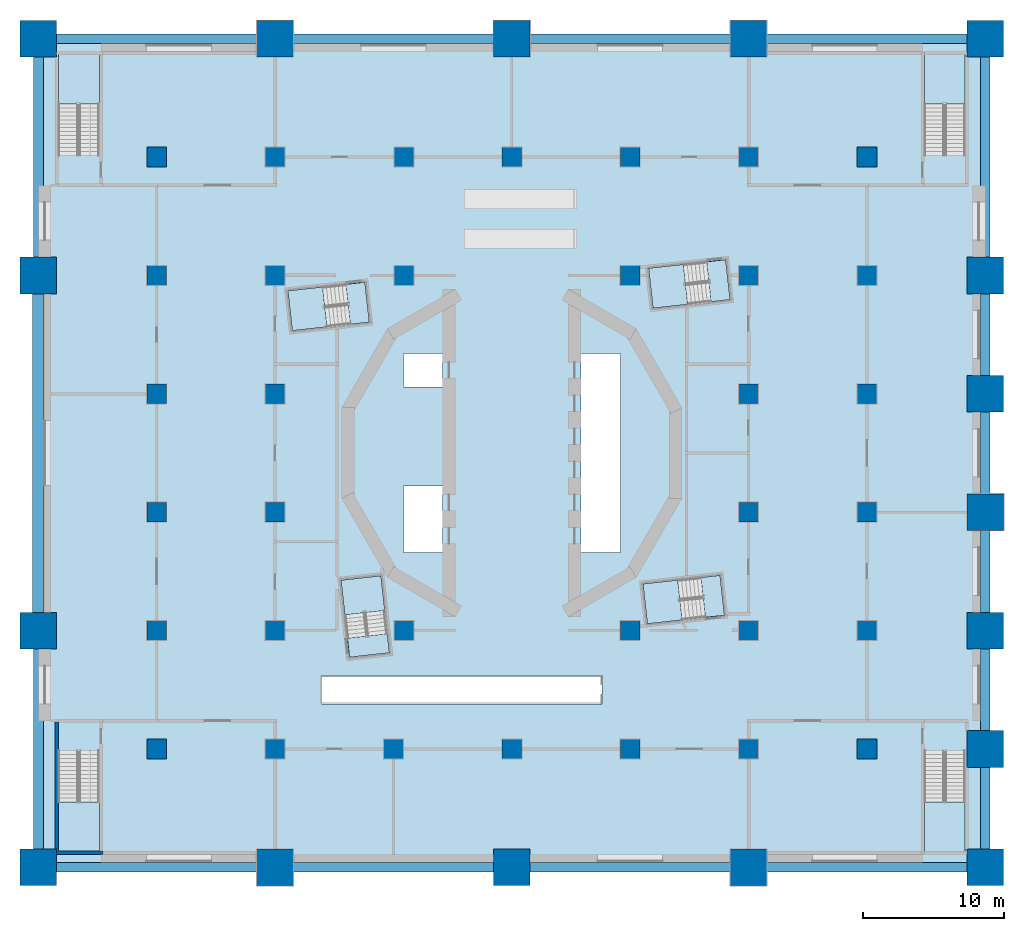
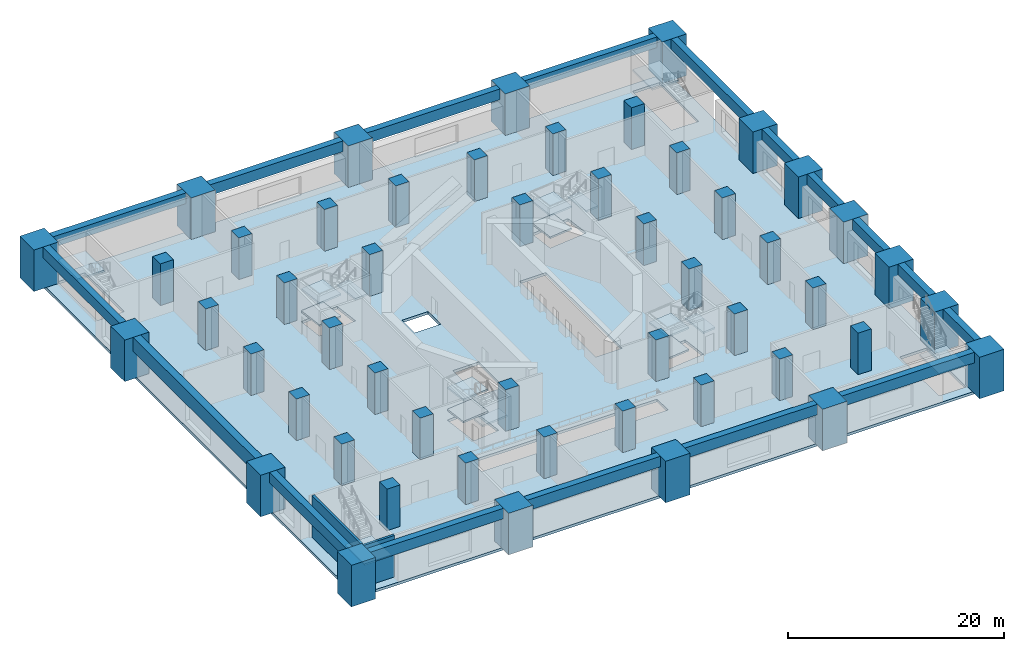
# One storey, part 1 of 19: 51 columns, 17 beams, 17 slabs, 2 walls, 8 elements without a shape of their own.
"""IFC4 building model written with IfcOpenShell, lengths in metres."""

from ifc_helpers import new_model, si_unit, direction, frame, frame_2d, origin, origin_2d, place, context, subcontext, project, spatial, polyline, rectangle, outline, extrude, material, layer, layer_set, material_profile, profile_set, type_object, element, aggregate, save


model = new_model("IFC4")

# Units and contexts
model_context = context("Model", 3, precision=1e-05, world=origin(), true_north=direction((0.0, 1.0)))
body_context = subcontext(model_context, "Body", "Model", "MODEL_VIEW")
ifc_project = project(units=[si_unit("LENGTHUNIT", "METRE"), si_unit("AREAUNIT", "SQUARE_METRE"), si_unit("VOLUMEUNIT", "CUBIC_METRE"), si_unit("PLANEANGLEUNIT", "RADIAN"), si_unit("MASSUNIT", "GRAM", prefix="KILO")], contexts=[model_context])

# Site, building, storey
site_placement = place(None, origin())
site = spatial("IfcSite", under=ifc_project, at=site_placement, CompositionType="ELEMENT")
building_placement = place(site_placement, origin())
building = spatial("IfcBuilding", under=site, at=building_placement, Name="Cantera Rosa Tower", CompositionType="ELEMENT")
storey_placement = place(building_placement, frame((0.0, 0.0, 12.0)))
storey = spatial("IfcBuildingStorey", under=building, at=storey_placement, Name="L01", CompositionType="ELEMENT", Elevation=12.0)

# Columns
ifc_material_1 = material(Name="Concrete C60/75", Category="concrete")
ifc_material_profile_1 = material_profile(ifc_material_1, rectangle(XDim=1.39990234375, YDim=1.39990234375, at=origin_2d()), Name="Column 1400x1400")
ifc_profile_set_1 = profile_set([ifc_material_profile_1], Name="Concrete C60/75")
column_type_1 = type_object("IfcColumnType", Name="Column 1400x1400", PredefinedType="COLUMN", material=ifc_profile_set_1)
for number, where, z_axis, x_axis, name in (
    (1, (-25.199951171875, -21.0, 0.0), (0.0, 0.0, 1.0), (1.0, 0.0, 0.0), "Column C-P-2B"),
    (2, (-25.199951171875, -12.60009765625, 0.0), (0.0, 0.0, 1.0), (1.0, 0.0, 0.0), "Column C-P-2C"),
    (3, (-25.199951171875, -4.199951171875, 0.0), (0.0, 0.0, 1.0), (1.0, 0.0, 0.0), "Column C-P-2D"),
    (4, (-25.199951171875, 4.199951171875, 0.0), (0.0, 0.0, 1.0), (1.0, 0.0, 0.0), "Column C-P-2E"),
    (5, (-25.199951171875, 12.60009765625, 0.0), (0.0, 0.0, 1.0), (1.0, 0.0, 0.0), "Column C-P-2F"),
    (6, (-25.199951171875, 21.0, 0.0), (0.0, 0.0, 1.0), (1.0, 0.0, 0.0), "Column C-P-2G"),
    (7, (-16.800048828125, -21.0, 0.0), (0.0, 0.0, 1.0), (1.0, 0.0, 0.0), "Column C-P-3B"),
    (8, (-16.800048828125, -12.60009765625, 0.0), (0.0, 0.0, 1.0), (1.0, 0.0, 0.0), "Column C-P-3C"),
    (9, (-16.800048828125, -4.199951171875, 0.0), (0.0, 0.0, 1.0), (1.0, 0.0, 0.0), "Column C-P-3D"),
    (10, (-16.800048828125, 4.199951171875, 0.0), (0.0, 0.0, 1.0), (1.0, 0.0, 0.0), "Column C-P-3E"),
    (11, (-16.800048828125, 12.60009765625, 0.0), (0.0, 0.0, 1.0), (1.0, 0.0, 0.0), "Column C-P-3F"),
    (12, (-16.800048828125, 21.0, 0.0), (0.0, 0.0, 1.0), (1.0, 0.0, 0.0), "Column C-P-3G"),
    (13, (-8.39990234375, -21.0, 0.0), (0.0, 0.0, 1.0), (1.0, 0.0, 0.0), "Column C-P-4B"),
    (14, (-7.64990234375, -12.60009765625, 0.0), (0.0, 0.0, 1.0), (1.0, 0.0, 0.0), "Column C-P-4C"),
    (15, (-7.64990234375, 12.60009765625, 0.0), (0.0, 0.0, 1.0), (1.0, 0.0, 0.0), "Column C-B-4N2"),
    (16, (-7.64990234375, 21.0, 0.0), (0.0, 0.0, 1.0), (1.0, 0.0, 0.0), "Column C-B-4N3"),
    (17, (0.0, -21.0, 0.0), (0.0, 0.0, 1.0), (1.0, 0.0, 0.0), "Column C-P-5B"),
    (18, (0.0, 21.0, 0.0), (0.0, 0.0, 1.0), (1.0, 0.0, 0.0), "Column C-P-5G"),
    (19, (8.39990234375, -21.0, 0.0), (0.0, 0.0, 1.0), (1.0, 0.0, 0.0), "Column C-P-6B"),
    (20, (8.39990234375, -12.60009765625, 0.0), (0.0, 0.0, 1.0), (1.0, 0.0, 0.0), "Column C-P-6C"),
    (21, (8.39990234375, 12.60009765625, 0.0), (0.0, 0.0, 1.0), (1.0, 0.0, 0.0), "Column C-P-6F"),
    (22, (8.39990234375, 21.0, 0.0), (0.0, 0.0, 1.0), (1.0, 0.0, 0.0), "Column C-P-6G"),
    (23, (16.800048828125, -21.0, 0.0), (0.0, 0.0, 1.0), (1.0, 0.0, 0.0), "Column C-P-7B"),
    (24, (16.800048828125, -12.60009765625, 0.0), (0.0, 0.0, 1.0), (1.0, 0.0, 0.0), "Column C-P-7C"),
    (25, (16.800048828125, -4.199951171875, 0.0), (0.0, 0.0, 1.0), (1.0, 0.0, 0.0), "Column C-P-7D"),
    (26, (16.800048828125, 4.199951171875, 0.0), (0.0, 0.0, 1.0), (1.0, 0.0, 0.0), "Column C-P-7E"),
    (27, (16.800048828125, 12.60009765625, 0.0), (0.0, 0.0, 1.0), (1.0, 0.0, 0.0), "Column C-P-7F"),
    (28, (16.800048828125, 21.0, 0.0), (0.0, 0.0, 1.0), (1.0, 0.0, 0.0), "Column C-P-7G"),
    (29, (25.199951171875, -21.0, 0.0), (0.0, 0.0, 1.0), (1.0, 0.0, 0.0), "Column C-P-8B"),
    (30, (25.199951171875, -12.60009765625, 0.0), (0.0, 0.0, 1.0), (1.0, 0.0, 0.0), "Column C-P-8C"),
    (31, (25.199951171875, -4.199951171875, 0.0), (0.0, 0.0, 1.0), (1.0, 0.0, 0.0), "Column C-P-8D"),
    (32, (25.199951171875, 4.199951171875, 0.0), (0.0, 0.0, 1.0), (1.0, 0.0, 0.0), "Column C-P-8E"),
    (33, (25.199951171875, 12.60009765625, 0.0), (0.0, 0.0, 1.0), (1.0, 0.0, 0.0), "Column C-P-8F"),
    (34, (25.199951171875, 21.0, 0.0), (0.0, 0.0, 1.0), (1.0, 0.0, 0.0), "Column C-P-8G"),
):
    element("IfcColumn", number, at=place(storey_placement, frame(where, z_axis=z_axis, x_axis=x_axis)), inside=storey, type_object=column_type_1, Name=name, PredefinedType="COLUMN", context=body_context, shape_type="SweptSolid", body=[
        extrude(rectangle(XDim=1.39990234375, YDim=1.39990234375, at=origin_2d()), origin(), (0.0, 0.0, 1.0), 4.699951171875),
    ])
ifc_material_2 = material(Name="Concrete C60/75", Category="concrete")
ifc_material_profile_2 = material_profile(ifc_material_2, rectangle(XDim=2.60009765625, YDim=2.60009765625, at=origin_2d()), Name="Stone pier 2600x2600")
ifc_profile_set_2 = profile_set([ifc_material_profile_2], Name="Concrete C60/75")
column_type_2 = type_object("IfcColumnType", Name="Stone pier 2600x2600", PredefinedType="COLUMN", material=ifc_profile_set_2)
for number, where, z_axis, x_axis, name in (
    (35, (-33.60009765625, -29.39990234375, 0.0), (0.0, 0.0, 1.0), (1.0, 0.0, 0.0), "Column C-P-1A"),
    (36, (-33.60009765625, -12.60009765625, 0.0), (0.0, 0.0, 1.0), (1.0, 0.0, 0.0), "Column C-P-1C"),
    (37, (-33.60009765625, 12.60009765625, 0.0), (0.0, 0.0, 1.0), (1.0, 0.0, 0.0), "Column C-P-1F"),
    (38, (-33.60009765625, 29.39990234375, 0.0), (0.0, 0.0, 1.0), (1.0, 0.0, 0.0), "Column C-P-1H"),
    (39, (-16.800048828125, -29.39990234375, 0.0), (0.0, 0.0, 1.0), (1.0, 0.0, 0.0), "Column C-P-3A"),
    (40, (-16.800048828125, 29.39990234375, 0.0), (0.0, 0.0, 1.0), (1.0, 0.0, 0.0), "Column C-P-3H"),
    (41, (0.0, -29.39990234375, 0.0), (0.0, 0.0, 1.0), (1.0, 0.0, 0.0), "Column C-P-5A"),
    (42, (0.0, 29.39990234375, 0.0), (0.0, 0.0, 1.0), (1.0, 0.0, 0.0), "Column C-P-5H"),
    (43, (16.800048828125, -29.39990234375, 0.0), (0.0, 0.0, 1.0), (1.0, 0.0, 0.0), "Column C-P-7A"),
    (44, (16.800048828125, 29.39990234375, 0.0), (0.0, 0.0, 1.0), (1.0, 0.0, 0.0), "Column C-P-7H"),
    (45, (33.60009765625, -29.39990234375, 0.0), (0.0, 0.0, 1.0), (1.0, 0.0, 0.0), "Column C-P-9A"),
    (46, (33.60009765625, -21.0, 0.0), (0.0, 0.0, 1.0), (1.0, 0.0, 0.0), "Column C-P-9B"),
    (47, (33.60009765625, -12.60009765625, 0.0), (0.0, 0.0, 1.0), (1.0, 0.0, 0.0), "Column C-P-9C"),
    (48, (33.60009765625, -4.199951171875, 0.0), (0.0, 0.0, 1.0), (1.0, 0.0, 0.0), "Column C-P-9D"),
    (49, (33.60009765625, 4.199951171875, 0.0), (0.0, 0.0, 1.0), (1.0, 0.0, 0.0), "Column C-P-9E"),
    (50, (33.60009765625, 12.60009765625, 0.0), (0.0, 0.0, 1.0), (1.0, 0.0, 0.0), "Column C-P-9F"),
    (51, (33.60009765625, 29.39990234375, 0.0), (0.0, 0.0, 1.0), (1.0, 0.0, 0.0), "Column C-P-9H"),
):
    element("IfcColumn", number, at=place(storey_placement, frame(where, z_axis=z_axis, x_axis=x_axis)), inside=storey, type_object=column_type_2, Name=name, PredefinedType="COLUMN", context=body_context, shape_type="SweptSolid", body=[
        extrude(rectangle(XDim=2.60009765625, YDim=2.60009765625, at=origin_2d()), origin(), (0.0, 0.0, 1.0), 4.699951171875),
    ])

# Beams
ifc_material_3 = material(Name="Concrete C50/60", Category="concrete")
ifc_material_profile_3 = material_profile(ifc_material_3, rectangle(XDim=0.699951171875, YDim=1.199951171875, at=origin_2d()), Name="Edge girder 700x1200")
ifc_profile_set_3 = profile_set([ifc_material_profile_3], Name="Concrete C50/60")
beam_type_1 = type_object("IfcBeamType", Name="Edge girder 700x1200", PredefinedType="BEAM", material=ifc_profile_set_3)
beam_1_placement = place(storey_placement, frame((-33.60009765625, -28.10009765625, 4.10009765625), z_axis=(0.0, 1.0, 0.0), x_axis=(-1.0, 0.0, 0.0)))
element("IfcBeam", 52, at=beam_1_placement, inside=storey, type_object=beam_type_1, Name="Edge girder L01-01", PredefinedType="BEAM", context=body_context, shape_type="SweptSolid", body=[
    extrude(rectangle(XDim=0.699951171875, YDim=1.199951171875, at=origin_2d()), origin(), (0.0, 0.0, 1.0), 14.2001953125),
])
beam_2_placement = place(storey_placement, frame((-32.300048828125, -29.39990234375, 4.10009765625), z_axis=(1.0, 0.0, 0.0), x_axis=(0.0, 1.0, 0.0)))
element("IfcBeam", 53, at=beam_2_placement, inside=storey, type_object=beam_type_1, Name="Edge girder L01-02", PredefinedType="BEAM", context=body_context, shape_type="SweptSolid", body=[
    extrude(rectangle(XDim=0.699951171875, YDim=1.199951171875, at=origin_2d()), origin(), (0.0, 0.0, 1.0), 14.199951171875),
])
beam_3_placement = place(storey_placement, frame((-33.60009765625, 13.89990234375, 4.10009765625), z_axis=(0.0, 1.0, 0.0), x_axis=(-1.0, 0.0, 0.0)))
element("IfcBeam", 54, at=beam_3_placement, inside=storey, type_object=beam_type_1, Name="Edge girder L01-04", PredefinedType="BEAM", context=body_context, shape_type="SweptSolid", body=[
    extrude(rectangle(XDim=0.699951171875, YDim=1.199951171875, at=origin_2d()), origin(), (0.0, 0.0, 1.0), 14.2001953125),
])
for number, where, z_axis, x_axis, name in (
    (55, (-32.300048828125, 29.39990234375, 4.10009765625), (1.0, 0.0, 0.0), (0.0, 1.0, 0.0), "Edge girder L01-05"),
    (56, (-15.5, -29.39990234375, 4.10009765625), (1.0, 0.0, 0.0), (0.0, 1.0, 0.0), "Edge girder L01-06"),
    (57, (-15.5, 29.39990234375, 4.10009765625), (1.0, 0.0, 0.0), (0.0, 1.0, 0.0), "Edge girder L01-07"),
    (58, (1.300048828125, -29.39990234375, 4.10009765625), (1.0, 0.0, 0.0), (0.0, 1.0, 0.0), "Edge girder L01-08"),
    (59, (1.300048828125, 29.39990234375, 4.10009765625), (1.0, 0.0, 0.0), (0.0, 1.0, 0.0), "Edge girder L01-09"),
    (60, (18.10009765625, -29.39990234375, 4.10009765625), (1.0, 0.0, 0.0), (0.0, 1.0, 0.0), "Edge girder L01-10"),
    (61, (18.10009765625, 29.39990234375, 4.10009765625), (1.0, 0.0, 0.0), (0.0, 1.0, 0.0), "Edge girder L01-11"),
):
    element("IfcBeam", number, at=place(storey_placement, frame(where, z_axis=z_axis, x_axis=x_axis)), inside=storey, type_object=beam_type_1, Name=name, PredefinedType="BEAM", context=body_context, shape_type="SweptSolid", body=[
        extrude(rectangle(XDim=0.699951171875, YDim=1.199951171875, at=origin_2d()), origin(), (0.0, 0.0, 1.0), 14.199951171875),
    ])
for number, where, z_axis, x_axis, name in (
    (62, (33.60009765625, -28.10009765625, 4.10009765625), (0.0, 1.0, 0.0), (-1.0, 0.0, 0.0), "Edge girder L01-12"),
    (63, (33.60009765625, -19.699951171875, 4.10009765625), (0.0, 1.0, 0.0), (-1.0, 0.0, 0.0), "Edge girder L01-13"),
    (64, (33.60009765625, -11.300048828125, 4.10009765625), (0.0, 1.0, 0.0), (-1.0, 0.0, 0.0), "Edge girder L01-14"),
):
    element("IfcBeam", number, at=place(storey_placement, frame(where, z_axis=z_axis, x_axis=x_axis)), inside=storey, type_object=beam_type_1, Name=name, PredefinedType="BEAM", context=body_context, shape_type="SweptSolid", body=[
        extrude(rectangle(XDim=0.699951171875, YDim=1.199951171875, at=origin_2d()), origin(), (0.0, 0.0, 1.0), 5.800048828125),
    ])
beam_4_placement = place(storey_placement, frame((33.60009765625, -2.89990234375, 4.10009765625), z_axis=(0.0, 1.0, 0.0), x_axis=(-1.0, 0.0, 0.0)))
element("IfcBeam", 65, at=beam_4_placement, inside=storey, type_object=beam_type_1, Name="Edge girder L01-15", PredefinedType="BEAM", context=body_context, shape_type="SweptSolid", body=[
    extrude(rectangle(XDim=0.699951171875, YDim=1.199951171875, at=origin_2d()), origin(), (0.0, 0.0, 1.0), 5.7998046875),
])
beam_5_placement = place(storey_placement, frame((33.60009765625, 5.5, 4.10009765625), z_axis=(0.0, 1.0, 0.0), x_axis=(-1.0, 0.0, 0.0)))
element("IfcBeam", 66, at=beam_5_placement, inside=storey, type_object=beam_type_1, Name="Edge girder L01-16", PredefinedType="BEAM", context=body_context, shape_type="SweptSolid", body=[
    extrude(rectangle(XDim=0.699951171875, YDim=1.199951171875, at=origin_2d()), origin(), (0.0, 0.0, 1.0), 5.800048828125),
])
beam_6_placement = place(storey_placement, frame((33.60009765625, 13.89990234375, 4.10009765625), z_axis=(0.0, 1.0, 0.0), x_axis=(-1.0, 0.0, 0.0)))
element("IfcBeam", 67, at=beam_6_placement, inside=storey, type_object=beam_type_1, Name="Edge girder L01-17", PredefinedType="BEAM", context=body_context, shape_type="SweptSolid", body=[
    extrude(rectangle(XDim=0.699951171875, YDim=1.199951171875, at=origin_2d()), origin(), (0.0, 0.0, 1.0), 14.2001953125),
])
ifc_material_4 = material(Name="Concrete C50/60", Category="concrete")
ifc_material_profile_4 = material_profile(ifc_material_4, rectangle(XDim=0.800048828125, YDim=1.60009765625, at=origin_2d()), Name="Edge girder 800x1600")
ifc_profile_set_4 = profile_set([ifc_material_profile_4], Name="Concrete C50/60")
beam_type_2 = type_object("IfcBeamType", Name="Edge girder 800x1600", PredefinedType="BEAM", material=ifc_profile_set_4)
beam_7_placement = place(storey_placement, frame((-33.60009765625, -11.300048828125, 3.89990234375), z_axis=(0.0, 1.0, 0.0), x_axis=(-1.0, 0.0, 0.0)))
element("IfcBeam", 68, at=beam_7_placement, inside=storey, type_object=beam_type_2, Name="Edge girder L01-03", PredefinedType="BEAM", context=body_context, shape_type="SweptSolid", body=[
    extrude(rectangle(XDim=0.800048828125, YDim=1.60009765625, at=origin_2d()), origin(), (0.0, 0.0, 1.0), 22.60009765625),
])

# Slab
ifc_material_5 = material(Name="Concrete C35/45", Category="concrete")
ifc_layer_1 = layer(ifc_material_5, 0.300048828125)
ifc_layer_set_1 = layer_set([ifc_layer_1], Name="Flat slab 300")
slab_type_1 = type_object("IfcSlabType", Name="Flat slab 300", PredefinedType="FLOOR", material=ifc_layer_set_1)
slab_1_placement = place(storey_placement, frame((0.0, 0.0, -0.300048828125)))
element("IfcSlab", 69, at=slab_1_placement, inside=storey, type_object=slab_type_1, Name="Floor slab L01", PredefinedType="FLOOR", context=body_context, shape_type="SweptSolid", body=[
    extrude(outline(polyline([(-33.60009765625, -29.39990234375), (33.60009765625, -29.39990234375), (33.60009765625, 29.39990234375), (-33.60009765625, 29.39990234375), (-33.60009765625, -29.39990234375)]), holes=[polyline([(29.27490234375, -28.375), (32.175048828125, -28.375), (32.175048828125, -21.136962890625), (29.27490234375, -21.136962890625), (29.27490234375, -28.375)]), polyline([(32.175048828125, 21.136962890625), (32.175048828125, 28.375), (29.27490234375, 28.375), (29.27490234375, 21.136962890625), (32.175048828125, 21.136962890625)]), polyline([(13.822265625, 13.5693359375), (9.709716796875, 13.11279296875), (10.02392578125, 10.2802734375), (14.13671875, 10.73681640625), (13.822265625, 13.5693359375)]), polyline([(9.3095703125, -9.287109375), (9.6240234375, -12.11962890625), (13.73681640625, -11.6630859375), (13.42236328125, -8.83056640625), (9.3095703125, -9.287109375)]), polyline([(4.89990234375, -7.050048828125), (7.699951171875, -7.050048828125), (7.699951171875, 7.050048828125), (4.89990234375, 7.050048828125), (4.89990234375, -7.050048828125)]), polyline([(6.39990234375, -15.800048828125), (-13.51904296875, -15.800048828125), (-13.51904296875, -17.800048828125), (6.39990234375, -17.800048828125), (6.39990234375, -15.800048828125)]), polyline([(-4.89990234375, -7.050048828125), (-4.89990234375, -2.35009765625), (-7.699951171875, -2.35009765625), (-7.699951171875, -7.050048828125), (-4.89990234375, -7.050048828125)]), polyline([(-4.89990234375, 7.050048828125), (-7.699951171875, 7.050048828125), (-7.699951171875, 4.699951171875), (-4.89990234375, 4.699951171875), (-4.89990234375, 7.050048828125)]), polyline([(-9.287109375, -8.709716796875), (-12.11962890625, -9.02392578125), (-11.6630859375, -13.13671875), (-8.83056640625, -12.822265625), (-9.287109375, -8.709716796875)]), polyline([(-11.777587890625, 11.969482421875), (-15.890380859375, 11.512939453125), (-15.575927734375, 8.680419921875), (-11.46337890625, 9.13671875), (-11.777587890625, 11.969482421875)]), polyline([(-32.175048828125, -28.375), (-29.27490234375, -28.375), (-29.27490234375, -21.136962890625), (-32.175048828125, -21.136962890625), (-32.175048828125, -28.375)]), polyline([(-29.27490234375, 21.136962890625), (-29.27490234375, 28.375), (-32.175048828125, 28.375), (-32.175048828125, 21.136962890625), (-29.27490234375, 21.136962890625)])]), origin(), (0.0, 0.0, 1.0), 0.300048828125),
])

# Stair, slabs
ifc_material_6 = material(Name="Concrete C35/45", Category="concrete")
stair_type_1 = type_object("IfcStairType", Name="EXIT STAIR 1350 DOGLEG", PredefinedType="HALF_TURN_STAIR", material=ifc_material_6)
stair_1_placement = place(storey_placement, origin())
stair_1 = element("IfcStair", 70, at=stair_1_placement, inside=storey, type_object=stair_type_1, Name="L01 ST-11", PredefinedType="HALF_TURN_STAIR")
ifc_material_7 = material(Name="Concrete C35/45", Category="concrete")
ifc_layer_2 = layer(ifc_material_7, 0.199951171875)
ifc_layer_set_2 = layer_set([ifc_layer_2], Name="STAIR LANDING 200")
slab_type_2 = type_object("IfcSlabType", Name="STAIR LANDING 200", PredefinedType="LANDING", material=ifc_layer_set_2)
slab_2_placement = place(storey_placement, frame((0.0, 0.0, 1.050048828125)))
slab_2 = element("IfcSlab", 71, at=slab_2_placement, type_object=slab_type_2, Name="ST-11 landing 1", PredefinedType="LANDING", context=body_context, shape_type="SweptSolid", body=[
    extrude(outline(polyline([(12.176513671875, 13.38671875), (9.70947265625, 13.113037109375), (10.02392578125, 10.2802734375), (12.49072265625, 10.55419921875), (12.176513671875, 13.38671875)])), origin(), (0.0, 0.0, 1.0), 0.199951171875),
])
slab_3_placement = place(storey_placement, frame((0.0, 0.0, 2.300048828125)))
slab_3 = element("IfcSlab", 72, at=slab_3_placement, type_object=slab_type_2, Name="ST-11 landing 2", PredefinedType="LANDING", context=body_context, shape_type="SweptSolid", body=[
    extrude(outline(polyline([(15.176025390625, 13.7197265625), (13.822265625, 13.5693359375), (14.13671875, 10.73681640625), (15.490478515625, 10.886962890625), (15.176025390625, 13.7197265625)])), origin(), (0.0, 0.0, 1.0), 0.199951171875),
])
slab_4_placement = place(storey_placement, frame((0.0, 0.0, 3.550048828125)))
slab_4 = element("IfcSlab", 73, at=slab_4_placement, type_object=slab_type_2, Name="ST-11 landing 3", PredefinedType="LANDING", context=body_context, shape_type="SweptSolid", body=[
    extrude(outline(polyline([(12.176513671875, 13.38671875), (9.70947265625, 13.113037109375), (10.02392578125, 10.2802734375), (12.49072265625, 10.55419921875), (12.176513671875, 13.38671875)])), origin(), (0.0, 0.0, 1.0), 0.199951171875),
])
aggregate(stair_1, [slab_2, slab_3, slab_4])

stair_2_placement = place(storey_placement, origin())
stair_2 = element("IfcStair", 74, at=stair_2_placement, inside=storey, type_object=stair_type_1, Name="L01 ST-12", PredefinedType="HALF_TURN_STAIR")
slab_5_placement = place(storey_placement, frame((0.0, 0.0, 1.050048828125)))
slab_5 = element("IfcSlab", 75, at=slab_5_placement, type_object=slab_type_2, Name="ST-12 landing 1", PredefinedType="LANDING", context=body_context, shape_type="SweptSolid", body=[
    extrude(outline(polyline([(-13.423583984375, 11.78662109375), (-15.890380859375, 11.512939453125), (-15.575927734375, 8.680419921875), (-13.109130859375, 8.9541015625), (-13.423583984375, 11.78662109375)])), origin(), (0.0, 0.0, 1.0), 0.199951171875),
])
slab_6_placement = place(storey_placement, frame((0.0, 0.0, 2.300048828125)))
slab_6 = element("IfcSlab", 76, at=slab_6_placement, type_object=slab_type_2, Name="ST-12 landing 2", PredefinedType="LANDING", context=body_context, shape_type="SweptSolid", body=[
    extrude(outline(polyline([(-10.424072265625, 12.11962890625), (-11.777587890625, 11.969482421875), (-11.46337890625, 9.13671875), (-10.109619140625, 9.287109375), (-10.424072265625, 12.11962890625)])), origin(), (0.0, 0.0, 1.0), 0.199951171875),
])
slab_7_placement = place(storey_placement, frame((0.0, 0.0, 3.550048828125)))
slab_7 = element("IfcSlab", 77, at=slab_7_placement, type_object=slab_type_2, Name="ST-12 landing 3", PredefinedType="LANDING", context=body_context, shape_type="SweptSolid", body=[
    extrude(outline(polyline([(-13.423583984375, 11.78662109375), (-15.890380859375, 11.512939453125), (-15.575927734375, 8.680419921875), (-13.109130859375, 8.9541015625), (-13.423583984375, 11.78662109375)])), origin(), (0.0, 0.0, 1.0), 0.199951171875),
])
aggregate(stair_2, [slab_5, slab_6, slab_7])

stair_3_placement = place(storey_placement, origin())
stair_3 = element("IfcStair", 78, at=stair_3_placement, inside=storey, type_object=stair_type_1, Name="L01 ST-13", PredefinedType="HALF_TURN_STAIR")
slab_8_placement = place(storey_placement, frame((0.0, 0.0, 1.050048828125)))
slab_8 = element("IfcSlab", 79, at=slab_8_placement, type_object=slab_type_2, Name="ST-13 landing 1", PredefinedType="LANDING", context=body_context, shape_type="SweptSolid", body=[
    extrude(outline(polyline([(-9.01318359375, -11.176513671875), (-9.287109375, -8.70947265625), (-12.11962890625, -9.02392578125), (-11.845947265625, -11.49072265625), (-9.01318359375, -11.176513671875)])), origin(), (0.0, 0.0, 1.0), 0.199951171875),
])
slab_9_placement = place(storey_placement, frame((0.0, 0.0, 2.300048828125)))
slab_9 = element("IfcSlab", 80, at=slab_9_placement, type_object=slab_type_2, Name="ST-13 landing 2", PredefinedType="LANDING", context=body_context, shape_type="SweptSolid", body=[
    extrude(outline(polyline([(-8.680419921875, -14.176025390625), (-8.83056640625, -12.822265625), (-11.6630859375, -13.13671875), (-11.512939453125, -14.490478515625), (-8.680419921875, -14.176025390625)])), origin(), (0.0, 0.0, 1.0), 0.199951171875),
])
slab_10_placement = place(storey_placement, frame((0.0, 0.0, 3.550048828125)))
slab_10 = element("IfcSlab", 81, at=slab_10_placement, type_object=slab_type_2, Name="ST-13 landing 3", PredefinedType="LANDING", context=body_context, shape_type="SweptSolid", body=[
    extrude(outline(polyline([(-9.01318359375, -11.176513671875), (-9.287109375, -8.70947265625), (-12.11962890625, -9.02392578125), (-11.845947265625, -11.49072265625), (-9.01318359375, -11.176513671875)])), origin(), (0.0, 0.0, 1.0), 0.199951171875),
])
aggregate(stair_3, [slab_8, slab_9, slab_10])

stair_4_placement = place(storey_placement, origin())
stair_4 = element("IfcStair", 82, at=stair_4_placement, inside=storey, type_object=stair_type_1, Name="L01 ST-14", PredefinedType="HALF_TURN_STAIR")
slab_11_placement = place(storey_placement, frame((0.0, 0.0, 1.050048828125)))
slab_11 = element("IfcSlab", 83, at=slab_11_placement, type_object=slab_type_2, Name="ST-14 landing 1", PredefinedType="LANDING", context=body_context, shape_type="SweptSolid", body=[
    extrude(outline(polyline([(11.7763671875, -9.01318359375), (9.3095703125, -9.287109375), (9.6240234375, -12.11962890625), (12.0908203125, -11.845947265625), (11.7763671875, -9.01318359375)])), origin(), (0.0, 0.0, 1.0), 0.199951171875),
])
slab_12_placement = place(storey_placement, frame((0.0, 0.0, 2.300048828125)))
slab_12 = element("IfcSlab", 84, at=slab_12_placement, type_object=slab_type_2, Name="ST-14 landing 2", PredefinedType="LANDING", context=body_context, shape_type="SweptSolid", body=[
    extrude(outline(polyline([(14.776123046875, -8.680419921875), (13.42236328125, -8.83056640625), (13.73681640625, -11.6630859375), (15.09033203125, -11.512939453125), (14.776123046875, -8.680419921875)])), origin(), (0.0, 0.0, 1.0), 0.199951171875),
])
slab_13_placement = place(storey_placement, frame((0.0, 0.0, 3.550048828125)))
slab_13 = element("IfcSlab", 85, at=slab_13_placement, type_object=slab_type_2, Name="ST-14 landing 3", PredefinedType="LANDING", context=body_context, shape_type="SweptSolid", body=[
    extrude(outline(polyline([(11.7763671875, -9.01318359375), (9.3095703125, -9.287109375), (9.6240234375, -12.11962890625), (12.0908203125, -11.845947265625), (11.7763671875, -9.01318359375)])), origin(), (0.0, 0.0, 1.0), 0.199951171875),
])
aggregate(stair_4, [slab_11, slab_12, slab_13])

# Stair, slab
ifc_material_8 = material(Name="Concrete C35/45", Category="concrete")
stair_type_2 = type_object("IfcStairType", Name="Stair half-turn 1350", PredefinedType="HALF_TURN_STAIR", material=ifc_material_8)
stair_5_placement = place(storey_placement, origin())
stair_5 = element("IfcStair", 86, at=stair_5_placement, inside=storey, type_object=stair_type_2, Name="L01 ST-NE", PredefinedType="HALF_TURN_STAIR")
ifc_material_9 = material(Name="Concrete C35/45", Category="concrete")
ifc_layer_3 = layer(ifc_material_9, 0.199951171875)
ifc_layer_set_3 = layer_set([ifc_layer_3], Name="Stair landing 200")
slab_type_3 = type_object("IfcSlabType", Name="Stair landing 200", PredefinedType="LANDING", material=ifc_layer_set_3)
slab_14_placement = place(storey_placement, frame((0.0, 0.0, 2.300048828125)))
slab_14 = element("IfcSlab", 87, at=slab_14_placement, type_object=slab_type_3, Name="ST-NE landing 1", PredefinedType="LANDING", context=body_context, shape_type="SweptSolid", body=[
    extrude(outline(polyline([(32.175048828125, 24.7529296875), (32.175048828125, 28.375), (29.27490234375, 28.375), (29.27490234375, 24.7529296875), (32.175048828125, 24.7529296875)])), origin(), (0.0, 0.0, 1.0), 0.199951171875),
])
aggregate(stair_5, [slab_14])

stair_6_placement = place(storey_placement, origin())
stair_6 = element("IfcStair", 88, at=stair_6_placement, inside=storey, type_object=stair_type_2, Name="L01 ST-NW", PredefinedType="HALF_TURN_STAIR")
slab_15_placement = place(storey_placement, frame((0.0, 0.0, 2.300048828125)))
slab_15 = element("IfcSlab", 89, at=slab_15_placement, type_object=slab_type_3, Name="ST-NW landing 1", PredefinedType="LANDING", context=body_context, shape_type="SweptSolid", body=[
    extrude(outline(polyline([(-29.27490234375, 24.7529296875), (-29.27490234375, 28.375), (-32.175048828125, 28.375), (-32.175048828125, 24.7529296875), (-29.27490234375, 24.7529296875)])), origin(), (0.0, 0.0, 1.0), 0.199951171875),
])
aggregate(stair_6, [slab_15])

stair_7_placement = place(storey_placement, origin())
stair_7 = element("IfcStair", 90, at=stair_7_placement, inside=storey, type_object=stair_type_2, Name="L01 ST-SE", PredefinedType="HALF_TURN_STAIR")
slab_16_placement = place(storey_placement, frame((0.0, 0.0, 2.300048828125)))
slab_16 = element("IfcSlab", 91, at=slab_16_placement, type_object=slab_type_3, Name="ST-SE landing 1", PredefinedType="LANDING", context=body_context, shape_type="SweptSolid", body=[
    extrude(outline(polyline([(29.27490234375, -24.7529296875), (29.27490234375, -28.375), (32.175048828125, -28.375), (32.175048828125, -24.7529296875), (29.27490234375, -24.7529296875)])), origin(), (0.0, 0.0, 1.0), 0.199951171875),
])
aggregate(stair_7, [slab_16])

stair_8_placement = place(storey_placement, origin())
stair_8 = element("IfcStair", 92, at=stair_8_placement, inside=storey, type_object=stair_type_2, Name="L01 ST-SW", PredefinedType="HALF_TURN_STAIR")
slab_17_placement = place(storey_placement, frame((0.0, 0.0, 2.300048828125)))
slab_17 = element("IfcSlab", 93, at=slab_17_placement, type_object=slab_type_3, Name="ST-SW landing 1", PredefinedType="LANDING", context=body_context, shape_type="SweptSolid", body=[
    extrude(outline(polyline([(-32.175048828125, -24.7529296875), (-32.175048828125, -28.375), (-29.27490234375, -28.375), (-29.27490234375, -24.7529296875), (-32.175048828125, -24.7529296875)])), origin(), (0.0, 0.0, 1.0), 0.199951171875),
])
aggregate(stair_8, [slab_17])

# Walls
ifc_material_10 = material(Name="Concrete C50/60", Category="concrete")
ifc_layer_4 = layer(ifc_material_10, 0.25)
ifc_layer_set_4 = layer_set([ifc_layer_4], Name="External stair wall 250")
wall_type_1 = type_object("IfcWallType", Name="External stair wall 250", PredefinedType="SOLIDWALL", material=ifc_layer_set_4)
wall_1_placement = place(storey_placement, frame((-29.02490234375, -28.375, 0.0), z_axis=(0.0, 0.0, 1.0), x_axis=(-1.0, 0.0, 0.0)))
element("IfcWall", 94, at=wall_1_placement, inside=storey, type_object=wall_type_1, Name="Stair wall L01-71", PredefinedType="SOLIDWALL", context=body_context, shape_type="SweptSolid", body=[
    extrude(rectangle(XDim=3.275146484375, YDim=0.25, at=frame_2d((1.6376953125, 0.0))), origin(), (0.0, 0.0, 1.0), 4.699951171875),
])
ifc_material_11 = material(Name="Concrete C50/60", Category="concrete")
ifc_layer_5 = layer(ifc_material_11, 0.25)
ifc_layer_set_5 = layer_set([ifc_layer_5], Name="RC stair wall 250 C50/60")
wall_type_2 = type_object("IfcWallType", Name="RC stair wall 250", PredefinedType="SOLIDWALL", material=ifc_layer_set_5)
wall_2_placement = place(storey_placement, frame((-32.300048828125, -28.10009765625, 0.0), z_axis=(0.0, 0.0, 1.0), x_axis=(0.0, 1.0, 0.0)))
element("IfcWall", 95, at=wall_2_placement, inside=storey, type_object=wall_type_2, Name="Stair wall L01-62", PredefinedType="SOLIDWALL", context=body_context, shape_type="SweptSolid", body=[
    extrude(rectangle(XDim=9.0, YDim=0.25, at=frame_2d((4.5, 0.0))), origin(), (0.0, 0.0, 1.0), 4.699951171875),
])

save(model, "model.ifc")
